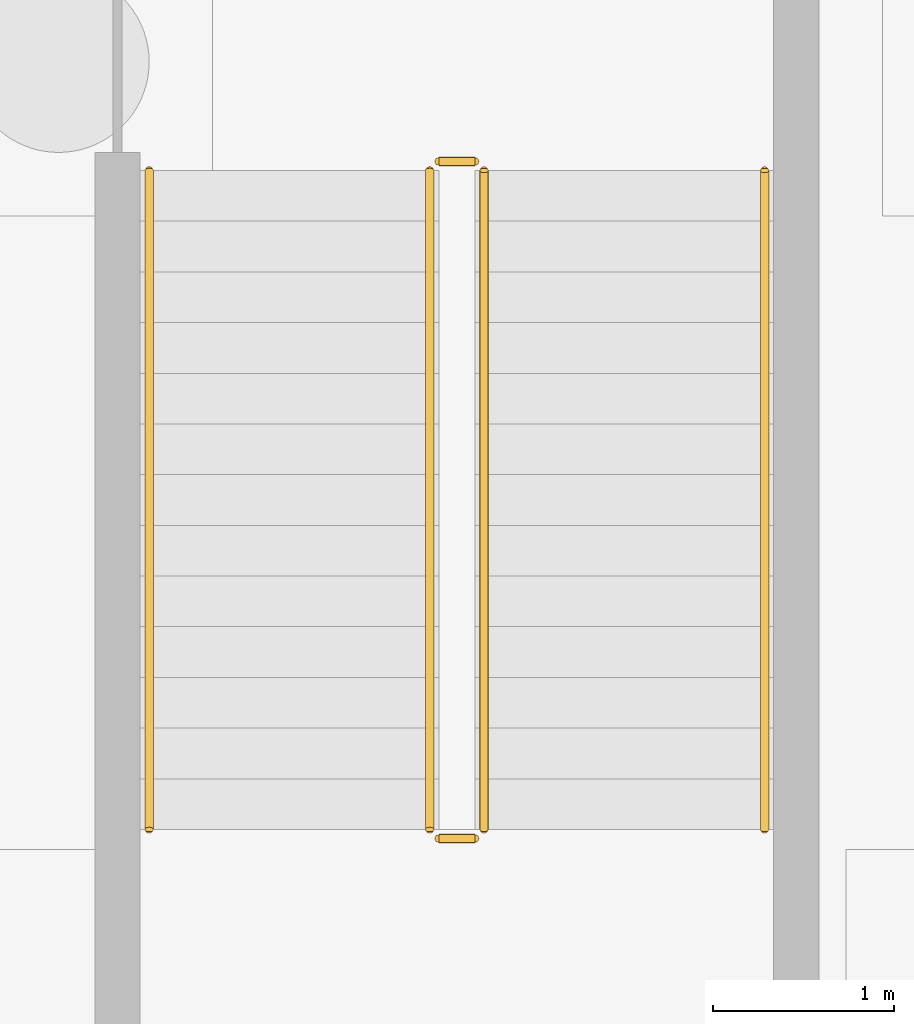
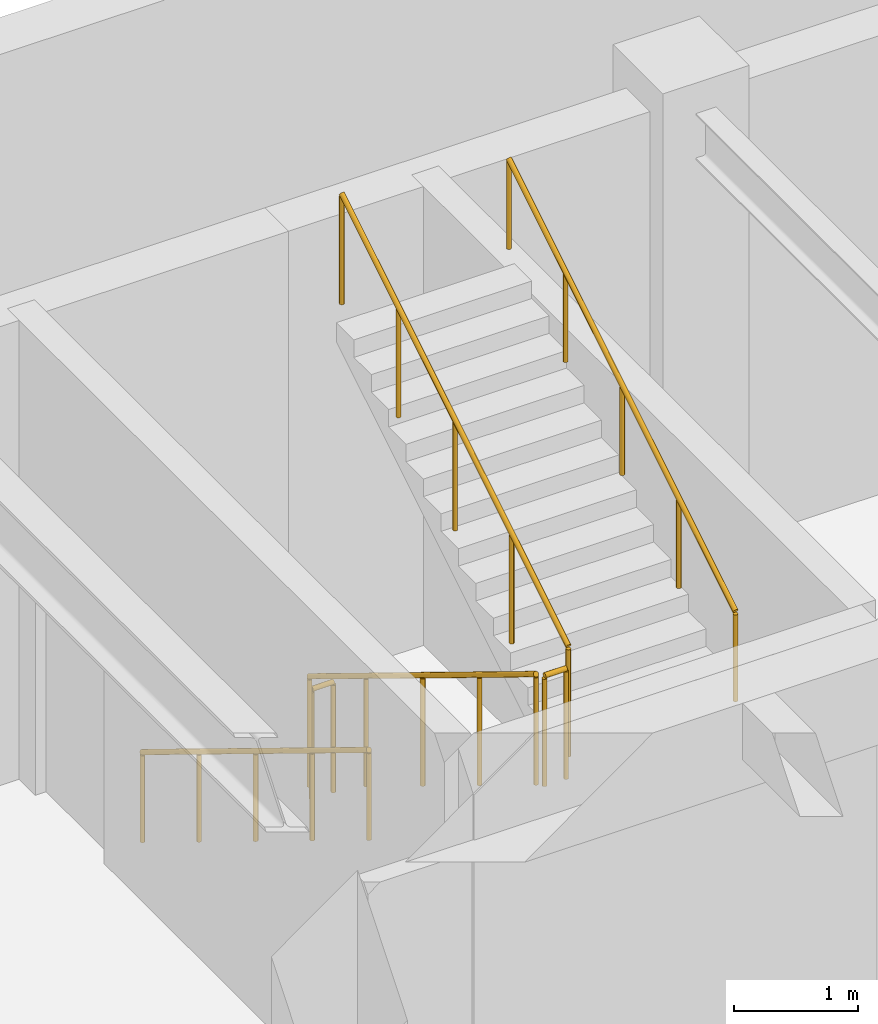
# One storey, part 36 of 38: 6 railings.
"""IFC4 building model written with IfcOpenShell, lengths in metres."""

from ifc_helpers import new_model, si_unit, direction, frame, origin, origin_2d, place, context, subcontext, project, spatial, circle, extrude, material, layer, layer_set, type_object, element, save


model = new_model("IFC4")

# Units and contexts
model_context = context("Model", 3, precision=1e-05, world=origin(), true_north=direction((0.0, 1.0)))
body_context = subcontext(model_context, "Body", "Model", "MODEL_VIEW")
ifc_project = project(units=[si_unit("LENGTHUNIT", "METRE"), si_unit("AREAUNIT", "SQUARE_METRE"), si_unit("VOLUMEUNIT", "CUBIC_METRE"), si_unit("PLANEANGLEUNIT", "RADIAN"), si_unit("MASSUNIT", "GRAM", prefix="KILO")], contexts=[model_context])

# Site, building, storey
site_placement = place(None, origin())
site = spatial("IfcSite", under=ifc_project, at=site_placement, CompositionType="ELEMENT")
building_placement = place(site_placement, origin())
building = spatial("IfcBuilding", under=site, at=building_placement, Name="Qasida Concert Hall", CompositionType="ELEMENT")
storey_placement = place(building_placement, frame((0.0, 0.0, -4.800048828125)))
storey = spatial("IfcBuildingStorey", under=building, at=storey_placement, Name="B1", CompositionType="ELEMENT", Elevation=-4.800048828125)

# Railings
ifc_material_1 = material(Name="Patinated architectural bronze and laminated glass infill", Category="glass")
ifc_layer_1 = layer(ifc_material_1, 0.080078125, Name="Patinated architectural bronze and laminated glass infill")
ifc_layer_set_1 = layer_set([ifc_layer_1], Name="Patinated architectural bronze and laminated glass infill")
railing_type_1 = type_object("IfcRailingType", Name="RL-GRD-1100", PredefinedType="GUARDRAIL", material=ifc_layer_set_1)
railing_1_placement = place(storey_placement, frame((18.10009765625, 110.85009765625, 0.17138671875)))
element("IfcRailing", 1, at=railing_1_placement, inside=storey, type_object=railing_type_1, Name="B1 ST-06 stair guard 1", PredefinedType="GUARDRAIL", context=body_context, shape_type="SweptSolid", body=[
    extrude(circle(Radius=0.02392578125, at=origin_2d()), frame((0.0, 0.0, 1.076171875), z_axis=(0.0, -0.852840387347, 0.522171689878), x_axis=(1.0, 0.0, 0.0)), (0.0, 0.0, 1.0), 4.268310546875),
    extrude(circle(Radius=0.02099609375, at=origin_2d()), origin(), (0.0, 0.0, 1.0), 1.052001953125),
    extrude(circle(Radius=0.02099609375, at=origin_2d()), frame((0.0, -0.91015625, 0.55712890625)), (0.0, 0.0, 1.0), 1.052001953125),
    extrude(circle(Radius=0.02099609375, at=origin_2d()), frame((0.0, -1.820068359375, 1.1142578125)), (0.0, 0.0, 1.0), 1.052001953125),
    extrude(circle(Radius=0.02099609375, at=origin_2d()), frame((0.0, -2.72998046875, 1.671630859375)), (0.0, 0.0, 1.0), 1.052001953125),
    extrude(circle(Radius=0.02099609375, at=origin_2d()), frame((0.0, -3.64013671875, 2.228759765625)), (0.0, 0.0, 1.0), 1.052001953125),
])
railing_2_placement = place(storey_placement, frame((18.14990234375, 107.159912109375, 2.400146484375)))
element("IfcRailing", 2, at=railing_2_placement, inside=storey, type_object=railing_type_1, Name="B1 ST-06 stair guard 2", PredefinedType="GUARDRAIL", context=body_context, shape_type="SweptSolid", body=[
    extrude(circle(Radius=0.02392578125, at=origin_2d()), frame((0.0, 0.0, 1.076171875), z_axis=(1.0, 0.0, 0.0), x_axis=(0.0, 1.0, 0.0)), (0.0, 0.0, 1.0), 0.2001953125),
    extrude(circle(Radius=0.02099609375, at=origin_2d()), origin(), (0.0, 0.0, 1.0), 1.052001953125),
    extrude(circle(Radius=0.02099609375, at=origin_2d()), frame((0.2001953125, 0.0, 0.0)), (0.0, 0.0, 1.0), 1.052001953125),
])
railing_3_placement = place(storey_placement, frame((18.39990234375, 107.2099609375, 2.571533203125)))
element("IfcRailing", 3, at=railing_3_placement, inside=storey, type_object=railing_type_1, Name="B1 ST-06 stair guard 3", PredefinedType="GUARDRAIL", context=body_context, shape_type="SweptSolid", body=[
    extrude(circle(Radius=0.02392578125, at=origin_2d()), frame((0.0, 0.0, 1.076171875), z_axis=(0.0, 0.852865859571, 0.52213008492), x_axis=(-1.0, 0.0, 0.0)), (0.0, 0.0, 1.0), 4.26806640625),
    extrude(circle(Radius=0.02099609375, at=origin_2d()), origin(), (0.0, 0.0, 1.0), 1.052001953125),
    extrude(circle(Radius=0.02099609375, at=origin_2d()), frame((0.0, 0.91015625, 0.55712890625)), (0.0, 0.0, 1.0), 1.052001953125),
    extrude(circle(Radius=0.02099609375, at=origin_2d()), frame((0.0, 1.820068359375, 1.1142578125)), (0.0, 0.0, 1.0), 1.052001953125),
    extrude(circle(Radius=0.02099609375, at=origin_2d()), frame((0.0, 2.72998046875, 1.67138671875)), (0.0, 0.0, 1.0), 1.052001953125),
    extrude(circle(Radius=0.02099609375, at=origin_2d()), frame((0.0, 3.64013671875, 2.228515625)), (0.0, 0.0, 1.0), 1.052001953125),
])
railing_4_placement = place(storey_placement, frame((18.14990234375, 110.89990234375, 0.0)))
element("IfcRailing", 4, at=railing_4_placement, inside=storey, type_object=railing_type_1, Name="B1 ST-06 stair guard 4", PredefinedType="GUARDRAIL", context=body_context, shape_type="SweptSolid", body=[
    extrude(circle(Radius=0.02392578125, at=origin_2d()), frame((0.0, 0.0, 1.076171875), z_axis=(1.0, 0.0, 0.0), x_axis=(0.0, 1.0, 0.0)), (0.0, 0.0, 1.0), 0.2001953125),
    extrude(circle(Radius=0.02099609375, at=origin_2d()), origin(), (0.0, 0.0, 1.0), 1.052001953125),
    extrude(circle(Radius=0.02099609375, at=origin_2d()), frame((0.2001953125, 0.0, 0.0)), (0.0, 0.0, 1.0), 1.052001953125),
])
ifc_material_2 = material(Name="Patinated tubular architectural bronze", Category="steel")
ifc_layer_2 = layer(ifc_material_2, 0.050048828125, Name="Patinated tubular architectural bronze")
ifc_layer_set_2 = layer_set([ifc_layer_2], Name="Patinated tubular architectural bronze")
railing_type_2 = type_object("IfcRailingType", Name="RL-HND-900", PredefinedType="HANDRAIL", material=ifc_layer_set_2)
railing_5_placement = place(storey_placement, frame((16.550048828125, 110.85009765625, 0.17138671875)))
element("IfcRailing", 5, at=railing_5_placement, inside=storey, type_object=railing_type_2, Name="B1 ST-06 stair handrail 1", PredefinedType="HANDRAIL", context=body_context, shape_type="SweptSolid", body=[
    extrude(circle(Radius=0.02392578125, at=origin_2d()), frame((0.0, 0.0, 0.8759765625), z_axis=(0.0, -0.852840387347, 0.522171689878), x_axis=(1.0, 0.0, 0.0)), (0.0, 0.0, 1.0), 4.268310546875),
    extrude(circle(Radius=0.02099609375, at=origin_2d()), origin(), (0.0, 0.0, 1.0), 0.851806640625),
    extrude(circle(Radius=0.02099609375, at=origin_2d()), frame((0.0, -0.91015625, 0.55712890625)), (0.0, 0.0, 1.0), 0.851806640625),
    extrude(circle(Radius=0.02099609375, at=origin_2d()), frame((0.0, -1.820068359375, 1.1142578125)), (0.0, 0.0, 1.0), 0.851806640625),
    extrude(circle(Radius=0.02099609375, at=origin_2d()), frame((0.0, -2.72998046875, 1.671630859375)), (0.0, 0.0, 1.0), 0.851806640625),
    extrude(circle(Radius=0.02099609375, at=origin_2d()), frame((0.0, -3.64013671875, 2.228759765625)), (0.0, 0.0, 1.0), 0.851806640625),
])
railing_6_placement = place(storey_placement, frame((19.949951171875, 107.2099609375, 2.571533203125)))
element("IfcRailing", 6, at=railing_6_placement, inside=storey, type_object=railing_type_2, Name="B1 ST-06 stair handrail 2", PredefinedType="HANDRAIL", context=body_context, shape_type="SweptSolid", body=[
    extrude(circle(Radius=0.02392578125, at=origin_2d()), frame((0.0, 0.0, 0.8759765625), z_axis=(0.0, 0.852865859571, 0.52213008492), x_axis=(-1.0, 0.0, 0.0)), (0.0, 0.0, 1.0), 4.26806640625),
    extrude(circle(Radius=0.02099609375, at=origin_2d()), origin(), (0.0, 0.0, 1.0), 0.851806640625),
    extrude(circle(Radius=0.02099609375, at=origin_2d()), frame((0.0, 0.91015625, 0.55712890625)), (0.0, 0.0, 1.0), 0.851806640625),
    extrude(circle(Radius=0.02099609375, at=origin_2d()), frame((0.0, 1.820068359375, 1.1142578125)), (0.0, 0.0, 1.0), 0.851806640625),
    extrude(circle(Radius=0.02099609375, at=origin_2d()), frame((0.0, 2.72998046875, 1.67138671875)), (0.0, 0.0, 1.0), 0.851806640625),
    extrude(circle(Radius=0.02099609375, at=origin_2d()), frame((0.0, 3.64013671875, 2.228515625)), (0.0, 0.0, 1.0), 0.851806640625),
])

save(model, "model.ifc")
